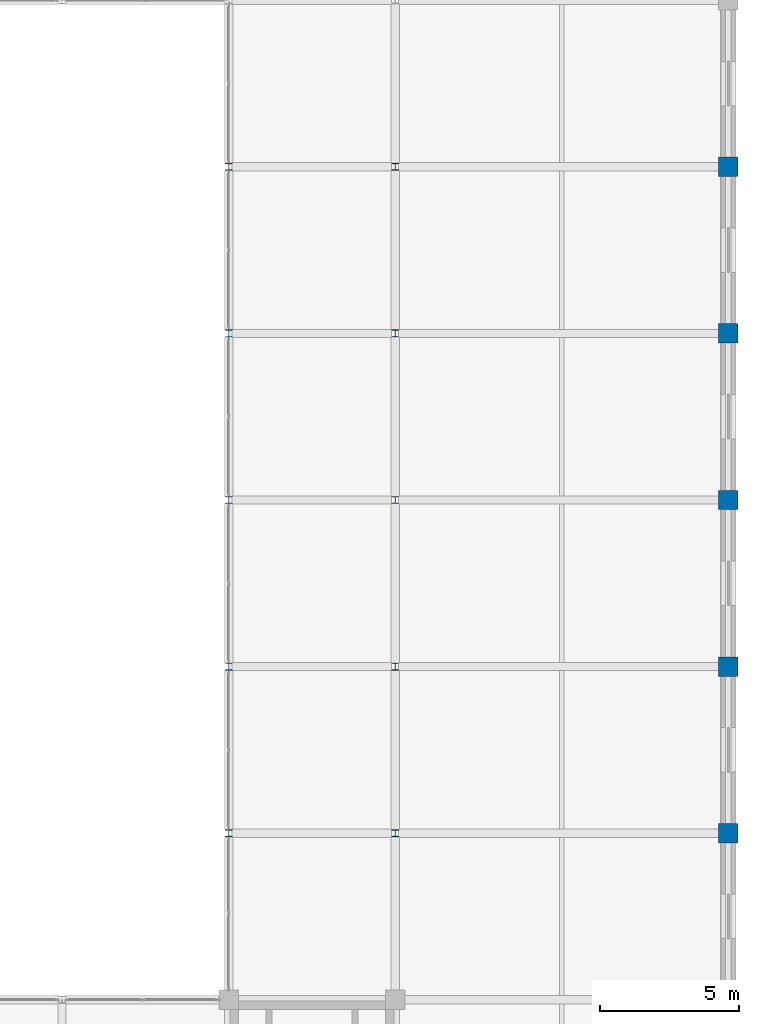
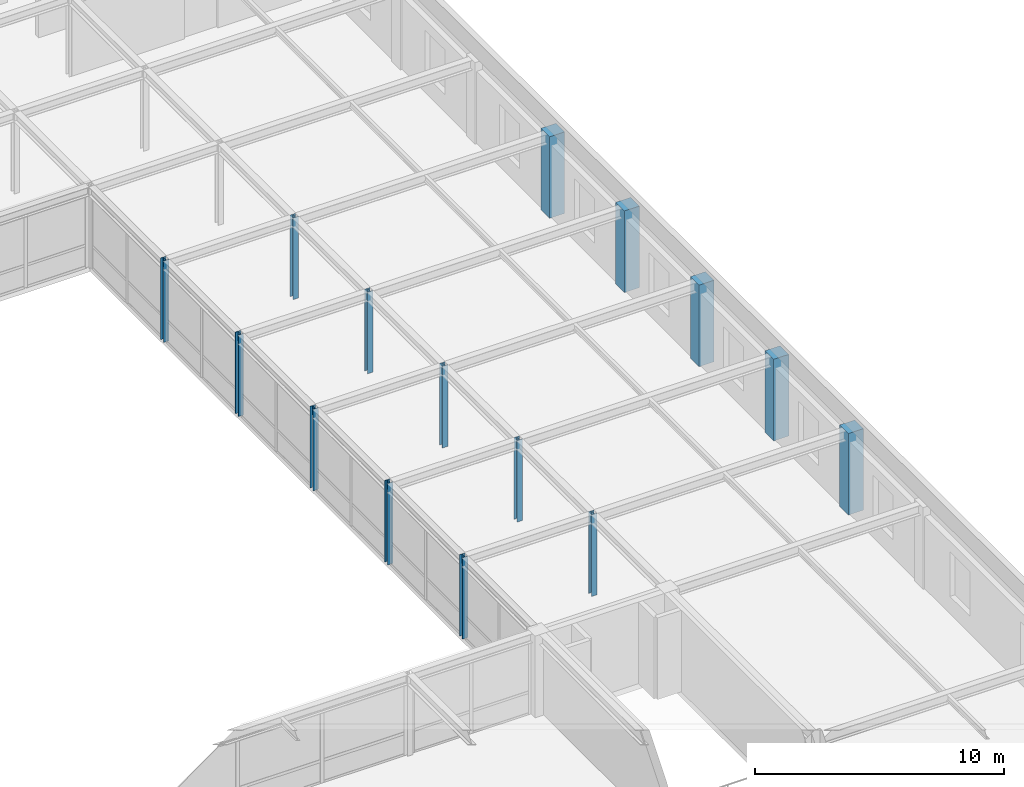
# One storey, part 24 of 111: 15 columns.
"""IFC4 building model written with IfcOpenShell, lengths in metres."""

from ifc_helpers import new_model, si_unit, direction, frame, origin, origin_2d, place, context, subcontext, project, spatial, rectangle, i_section, extrude, material, material_profile, profile_set, type_object, element, save


model = new_model("IFC4")

# Units and contexts
model_context = context("Model", 3, precision=1e-05, world=origin(), true_north=direction((0.0, 1.0)))
body_context = subcontext(model_context, "Body", "Model", "MODEL_VIEW")
ifc_project = project(units=[si_unit("LENGTHUNIT", "METRE"), si_unit("AREAUNIT", "SQUARE_METRE"), si_unit("VOLUMEUNIT", "CUBIC_METRE"), si_unit("PLANEANGLEUNIT", "RADIAN"), si_unit("MASSUNIT", "GRAM", prefix="KILO")], contexts=[model_context])

# Site, building, storey
site_placement = place(None, origin())
site = spatial("IfcSite", under=ifc_project, at=site_placement, CompositionType="ELEMENT")
building_placement = place(site_placement, origin())
building = spatial("IfcBuilding", under=site, at=building_placement, Name="Zlatovratsky Civic Hall", CompositionType="ELEMENT")
storey_placement = place(building_placement, frame((0.0, 0.0, 16.5)))
storey = spatial("IfcBuildingStorey", under=building, at=storey_placement, Name="L04", CompositionType="ELEMENT", Elevation=16.5)

# Columns
ifc_material_1 = material(Name="Concrete C35/45 (B40)", Category="concrete")
ifc_material_profile_1 = material_profile(ifc_material_1, rectangle(XDim=0.699951171875, YDim=0.699951171875, at=origin_2d()), Name="RC 700x700")
ifc_profile_set_1 = profile_set([ifc_material_profile_1], Name="Concrete C35/45 (B40)")
column_type_1 = type_object("IfcColumnType", Name="Col_CorePier_RC700", PredefinedType="COLUMN", material=ifc_profile_set_1)
for number, where, z_axis, x_axis, name in (
    (1, (168.0, 36.0, 0.0), (0.0, 0.0, 1.0), (1.0, 0.0, 0.0), "CL-1649"),
    (2, (168.0, 42.0, 0.0), (0.0, 0.0, 1.0), (1.0, 0.0, 0.0), "CL-1668"),
    (3, (168.0, 48.0, 0.0), (0.0, 0.0, 1.0), (1.0, 0.0, 0.0), "CL-1682"),
    (4, (168.0, 54.0, 0.0), (0.0, 0.0, 1.0), (1.0, 0.0, 0.0), "CL-1696"),
    (5, (168.0, 60.0, 0.0), (0.0, 0.0, 1.0), (1.0, 0.0, 0.0), "CL-1710"),
):
    element("IfcColumn", number, at=place(storey_placement, frame(where, z_axis=z_axis, x_axis=x_axis)), inside=storey, type_object=column_type_1, Name=name, PredefinedType="COLUMN", context=body_context, shape_type="SweptSolid", body=[
        extrude(rectangle(XDim=0.699951171875, YDim=0.699951171875, at=origin_2d()), origin(), (0.0, 0.0, 1.0), 4.0),
    ])
ifc_material_2 = material(Name="Steel S355", Category="steel")
ifc_material_profile_2 = material_profile(ifc_material_2, i_section(OverallWidth=0.25, OverallDepth=0.25, WebThickness=0.009033203125, FlangeThickness=0.013916015625, FilletRadius=0.01611328125, at=origin_2d()), Name="25K2")
ifc_profile_set_2 = profile_set([ifc_material_profile_2], Name="Steel S355")
column_type_2 = type_object("IfcColumnType", Name="Col_Steel_25K2", PredefinedType="COLUMN", material=ifc_profile_set_2)
for number, where, z_axis, x_axis, name in (
    (6, (150.0, 36.0, 0.0), (0.0, 0.0, 1.0), (1.0, 0.0, 0.0), "CL-1647"),
    (7, (156.0, 36.0, 0.0), (0.0, 0.0, 1.0), (1.0, 0.0, 0.0), "CL-1648"),
    (8, (150.0, 42.0, 0.0), (0.0, 0.0, 1.0), (1.0, 0.0, 0.0), "CL-1666"),
    (9, (156.0, 42.0, 0.0), (0.0, 0.0, 1.0), (1.0, 0.0, 0.0), "CL-1667"),
    (10, (150.0, 48.0, 0.0), (0.0, 0.0, 1.0), (1.0, 0.0, 0.0), "CL-1680"),
    (11, (156.0, 48.0, 0.0), (0.0, 0.0, 1.0), (1.0, 0.0, 0.0), "CL-1681"),
    (12, (150.0, 54.0, 0.0), (0.0, 0.0, 1.0), (1.0, 0.0, 0.0), "CL-1694"),
    (13, (156.0, 54.0, 0.0), (0.0, 0.0, 1.0), (1.0, 0.0, 0.0), "CL-1695"),
    (14, (150.0, 60.0, 0.0), (0.0, 0.0, 1.0), (1.0, 0.0, 0.0), "CL-1708"),
    (15, (156.0, 60.0, 0.0), (0.0, 0.0, 1.0), (1.0, 0.0, 0.0), "CL-1709"),
):
    element("IfcColumn", number, at=place(storey_placement, frame(where, z_axis=z_axis, x_axis=x_axis)), inside=storey, type_object=column_type_2, Name=name, PredefinedType="COLUMN", context=body_context, shape_type="SweptSolid", body=[
        extrude(i_section(OverallWidth=0.25, OverallDepth=0.25, WebThickness=0.009033203125, FlangeThickness=0.013916015625, FilletRadius=0.01611328125, at=origin_2d()), origin(), (0.0, 0.0, 1.0), 4.0),
    ])

save(model, "model.ifc")
